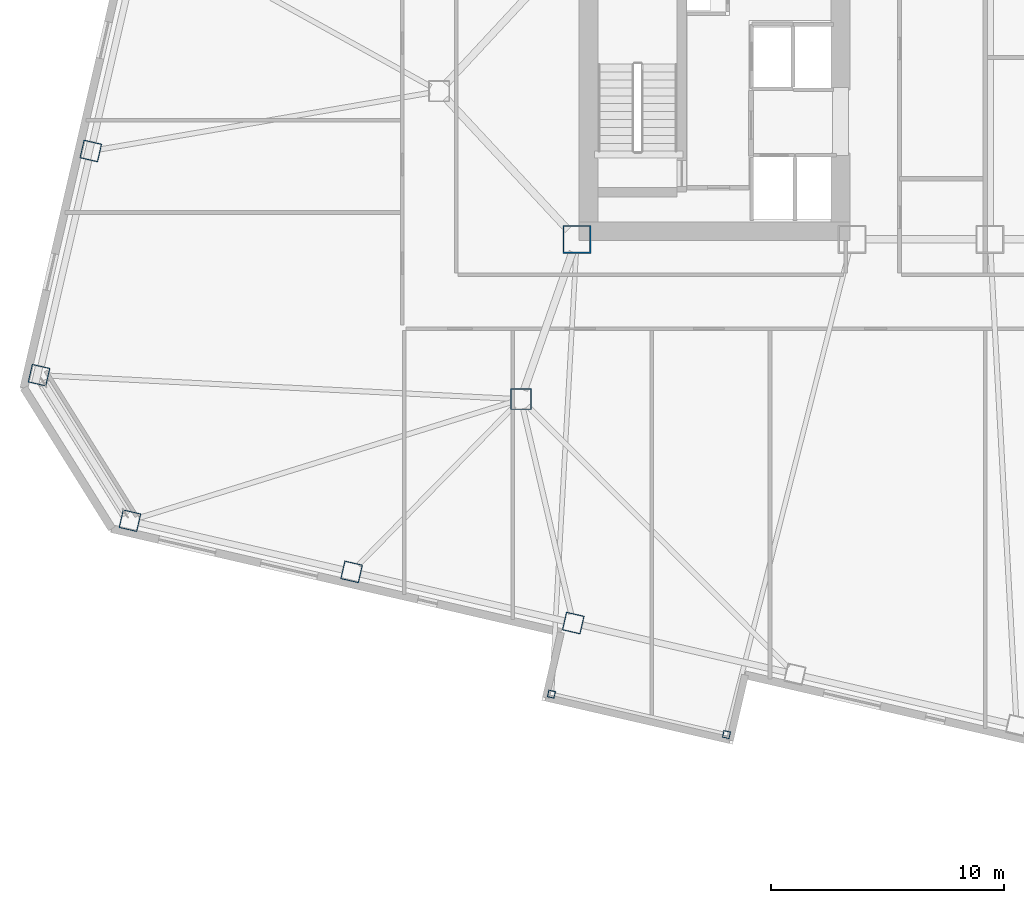
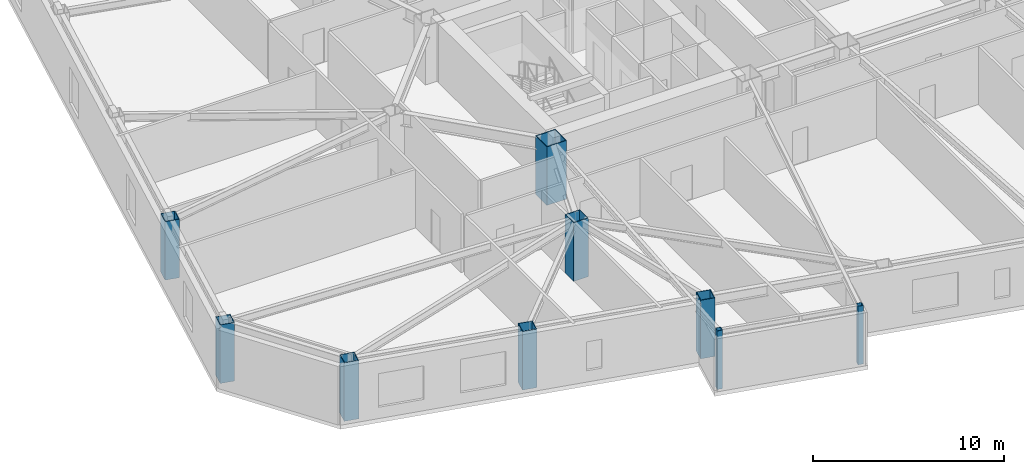
# One storey, part 1 of 18: 9 columns.
"""IFC4 building model written with IfcOpenShell, lengths in metres."""

import ifcopenshell
import ifcopenshell.guid

model = None  # the IFC model being written
_history = None  # IfcOwnerHistory: only IFC2X3 demands one
_inside = {}  # id of a spatial element -> (the spatial element, [elements in it])
_under = {}  # id of a project, library or spatial element -> (it, [spatial elements below it])
_declared = {}  # id of a project -> (the project, [libraries it declares])
_typed = {}  # id of a type object -> (the type object, [elements of that type])
_made_of = {}  # id of a material, layer set ... -> (it, [elements and type objects made of it])


def new_model(schema):
    """Start an empty IFC model of exactly this schema.

    Asked for "IFC4X3", IfcOpenShell would pick the latest addendum, in which some entities
    have other attributes; the version numbers below select the first issue.
    IFC2X3 requires an IfcOwnerHistory on every rooted entity: one is made here for all.
    """
    global model, _history
    if schema == "IFC4X3":
        model = ifcopenshell.file(schema_version=(4, 3, 0, 0))
    else:
        model = ifcopenshell.file(schema=schema)
    _inside.clear()
    _under.clear()
    _declared.clear()
    _typed.clear()
    _made_of.clear()
    _history = None
    if model.schema == "IFC2X3":
        org = make("IfcOrganization", Name="unknown")
        user = make(
            "IfcPersonAndOrganization",
            ThePerson=make("IfcPerson", FamilyName="unknown"),
            TheOrganization=org,
        )
        app = make(
            "IfcApplication",
            ApplicationDeveloper=org,
            Version="unknown",
            ApplicationFullName="unknown",
            ApplicationIdentifier="unknown",
        )
        _history = make(
            "IfcOwnerHistory",
            OwningUser=user,
            OwningApplication=app,
            ChangeAction="ADDED",
            CreationDate=0,
        )
    return model


def make(cls, **values):
    """One entity of the class cls with the attributes given. An attribute that is None is left unset."""
    return model.create_entity(
        cls, **{name: value for name, value in values.items() if value is not None}
    )


def rooted(cls, **values):
    """An entity with a GlobalId (a new one), such as an element, a storey or a relation."""
    return make(cls, GlobalId=ifcopenshell.guid.new(), OwnerHistory=_history, **values)


def si_unit(unit_type, name, prefix=None):
    """IfcSIUnit, for example si_unit("LENGTHUNIT", "METRE", prefix="MILLI")."""
    return make("IfcSIUnit", UnitType=unit_type, Prefix=prefix, Name=name)


def assignment(units):
    """IfcUnitAssignment: the units of a project."""
    return None if units is None else make("IfcUnitAssignment", Units=units)


def point(xyz):
    """IfcCartesianPoint."""
    return None if xyz is None else make("IfcCartesianPoint", Coordinates=xyz)


def direction(xyz):
    """IfcDirection."""
    return None if xyz is None else make("IfcDirection", DirectionRatios=xyz)


def frame(location, z_axis=None, x_axis=None):
    """IfcAxis2Placement3D, a coordinate frame: its origin and axes. An axis left out is left unset."""
    return make(
        "IfcAxis2Placement3D",
        Location=point(location),
        Axis=direction(z_axis),
        RefDirection=direction(x_axis),
    )


def frame_2d(location, x_axis=None):
    """IfcAxis2Placement2D, a coordinate frame in the plane: its origin and x axis."""
    return make(
        "IfcAxis2Placement2D", Location=point(location), RefDirection=direction(x_axis)
    )


def origin():
    """The frame at (0, 0, 0) with its axes left unset."""
    return frame((0.0, 0.0, 0.0))


def origin_2d():
    """The frame at (0, 0) in the plane with its x axis left unset."""
    return frame_2d((0.0, 0.0))


def place(relative_to, where):
    """IfcLocalPlacement: puts the frame where relative to a parent placement (None: the world)."""
    return make(
        "IfcLocalPlacement", PlacementRelTo=relative_to, RelativePlacement=where
    )


def context(
    kind, dimensions, precision=None, world=None, true_north=None, identifier=None
):
    """IfcGeometricRepresentationContext, for example the 3D "Model" context."""
    return make(
        "IfcGeometricRepresentationContext",
        ContextIdentifier=identifier,
        ContextType=kind,
        CoordinateSpaceDimension=dimensions,
        Precision=precision,
        WorldCoordinateSystem=world,
        TrueNorth=true_north,
    )


def subcontext(parent, identifier, kind, view, scale=None):
    """IfcGeometricRepresentationSubContext, for example "Body" below "Model"."""
    return make(
        "IfcGeometricRepresentationSubContext",
        ContextIdentifier=identifier,
        ContextType=kind,
        ParentContext=parent,
        TargetScale=scale,
        TargetView=view,
    )


def project(units=None, contexts=None):
    """IfcProject with its units and contexts."""
    return rooted(
        "IfcProject",
        Name="project",
        RepresentationContexts=contexts,
        UnitsInContext=assignment(units),
    )


def spatial(cls, under=None, at=None, **own):
    """A site, building, storey or space (cls), placed at a placement, below another one or the project."""
    s = rooted(cls, ObjectPlacement=at, **own)
    if under is not None:
        _under.setdefault(under.id(), (under, []))[1].append(s)
    return s


def profile(cls, at=None, kind="AREA", **sizes):
    """A parametric profile (cls). Its sizes go by their IFC names, for example OverallWidth=200.0."""
    return make(cls, ProfileType=kind, Position=at, **sizes)


def hollow_rectangle(**sizes):
    """IfcRectangleHollowProfileDef."""
    return profile("IfcRectangleHollowProfileDef", **sizes)


def extrude(swept, where, along, depth):
    """IfcExtrudedAreaSolid: the profile swept, set in the frame where, extruded along a direction by depth."""
    return make(
        "IfcExtrudedAreaSolid",
        SweptArea=swept,
        Position=where,
        ExtrudedDirection=direction(along),
        Depth=depth,
    )


def shape(context_of_items, identifier, shape_type, items):
    """IfcShapeRepresentation: the items that make up one representation, for example the "Body"."""
    return make(
        "IfcShapeRepresentation",
        ContextOfItems=context_of_items,
        RepresentationIdentifier=identifier,
        RepresentationType=shape_type,
        Items=items,
    )


def material(Name=None, Category=None):
    """IfcMaterial."""
    return make("IfcMaterial", Name=Name, Category=Category)


def material_profile(
    of_material, cross_section, Name=None, Category=None, Priority=None
):
    """IfcMaterialProfile: a cross section and its material."""
    return make(
        "IfcMaterialProfile",
        Name=Name,
        Material=of_material,
        Profile=cross_section,
        Priority=Priority,
        Category=Category,
    )


def profile_set(profiles, Name=None, composite=None):
    """IfcMaterialProfileSet."""
    return make(
        "IfcMaterialProfileSet",
        Name=Name,
        MaterialProfiles=profiles,
        CompositeProfile=composite,
    )


def made_of(thing, what):
    """Note that an element or type object is made of a material, layer set ...; save() writes the relation."""
    if what is not None:
        _made_of.setdefault(what.id(), (what, []))[1].append(thing)
    return thing


def type_object(cls, material=None, **own):
    """A type object (cls), such as IfcWallType, which elements share."""
    return made_of(rooted(cls, **own), material)


def element(
    cls,
    number,
    at=None,
    inside=None,
    cuts=None,
    type_object=None,
    material=None,
    context=None,
    identifier="Body",
    shape_type=None,
    held_by="IfcProductDefinitionShape",
    body=None,
    shapes=None,
    **own,
):
    """One element of the class cls, such as IfcWall. Its Tag is "e" and its number.

    at: its placement. inside: the storey or other place that contains it. cuts: it is an
    opening in that element (IfcRelVoidsElement). A single representation is given by context,
    identifier, shape_type and body (its items); several are given by shapes. held_by: the class
    of the entity that holds the representations. save() writes the other relations.
    """
    e = rooted(cls, Tag="e%d" % number, ObjectPlacement=at, **own)
    if body is not None:
        shapes = [shape(context, identifier, shape_type, body)]
    if shapes is not None:
        e.Representation = make(held_by, Representations=shapes)
    if inside is not None:
        _inside.setdefault(inside.id(), (inside, []))[1].append(e)
    if cuts is not None:
        rooted(
            "IfcRelVoidsElement", RelatingBuildingElement=cuts, RelatedOpeningElement=e
        )
    if type_object is not None:
        _typed.setdefault(type_object.id(), (type_object, []))[1].append(e)
    return made_of(e, material)


def aggregate(whole, parts):
    """IfcRelAggregates: a whole, such as a stair, and the parts it consists of."""
    return rooted("IfcRelAggregates", RelatingObject=whole, RelatedObjects=parts)


def save(model, path):
    """Write the relations noted so far, then the file.

    IfcRelAggregates (storeys below a building ...), IfcRelContainedInSpatialStructure (elements
    in a storey), IfcRelDefinesByType, IfcRelAssociatesMaterial and IfcRelDeclares: one each for
    every whole, place, type object, material and project.
    """
    for whole, parts in _under.values():
        aggregate(whole, parts)
    for where, things in _inside.values():
        rooted(
            "IfcRelContainedInSpatialStructure",
            RelatedElements=things,
            RelatingStructure=where,
        )
    for kind, things in _typed.values():
        rooted("IfcRelDefinesByType", RelatedObjects=things, RelatingType=kind)
    for what, things in _made_of.values():
        rooted("IfcRelAssociatesMaterial", RelatedObjects=things, RelatingMaterial=what)
    for by, libraries in _declared.values():
        rooted("IfcRelDeclares", RelatingContext=by, RelatedDefinitions=libraries)
    model.write(path)


model = new_model("IFC4")

# Units and contexts
model_context = context("Model", 3, precision=1e-05, world=origin(), true_north=direction((0.0, 1.0)))
body_context = subcontext(model_context, "Body", "Model", "MODEL_VIEW")
ifc_project = project(units=[si_unit("LENGTHUNIT", "METRE"), si_unit("AREAUNIT", "SQUARE_METRE"), si_unit("VOLUMEUNIT", "CUBIC_METRE"), si_unit("PLANEANGLEUNIT", "RADIAN"), si_unit("MASSUNIT", "GRAM", prefix="KILO")], contexts=[model_context])

# Site, building, storey
site_placement = place(None, origin())
site = spatial("IfcSite", under=ifc_project, at=site_placement, CompositionType="ELEMENT")
building_placement = place(site_placement, origin())
building = spatial("IfcBuilding", under=site, at=building_placement, Name="Tavrogorsk Clinical Tower", CompositionType="ELEMENT")
storey_placement = place(building_placement, frame((0.0, 0.0, 51.39990234375)))
storey = spatial("IfcBuildingStorey", under=building, at=storey_placement, Name="L10", CompositionType="ELEMENT", Elevation=51.39990234375)

# Columns
ifc_material_1 = material(Name="Structural steel S390", Category="steel")
ifc_material_profile_1 = material_profile(ifc_material_1, hollow_rectangle(XDim=0.300048828125, YDim=0.300048828125, WallThickness=0.01611328125, at=origin_2d()), Name="SHS-300x300x16")
ifc_profile_set_1 = profile_set([ifc_material_profile_1], Name="Structural steel S390")
column_type_1 = type_object("IfcColumnType", Name="DayroomCol_SHS300", PredefinedType="COLUMN", material=ifc_profile_set_1)
for number, where, z_axis, x_axis, name in (
    (1, (-23.1904296875, -25.83935546875, 0.0), (0.0, 0.0, 1.0), (0.974370064785, -0.224951054344, 0.0), "L10 Day-Room Box Column DRB-01-L"),
    (2, (-15.68798828125, -27.5712890625, 0.0), (0.0, 0.0, 1.0), (0.974370064785, -0.224951054344, 0.0), "L10 Day-Room Box Column DRB-01-R"),
):
    element("IfcColumn", number, at=place(storey_placement, frame(where, z_axis=z_axis, x_axis=x_axis)), inside=storey, type_object=column_type_1, Name=name, PredefinedType="COLUMN", context=body_context, shape_type="SweptSolid", body=[
        extrude(hollow_rectangle(XDim=0.300048828125, YDim=0.300048828125, WallThickness=0.01611328125, at=origin_2d()), origin(), (0.0, 0.0, 1.0), 3.739990234375),
    ])
ifc_material_2 = material(Name="Structural steel S440", Category="steel")
ifc_material_profile_2 = material_profile(ifc_material_2, hollow_rectangle(XDim=1.199951171875, YDim=1.199951171875, WallThickness=0.050048828125, at=origin_2d()), Name="BOX-1200x1200x50")
ifc_profile_set_2 = profile_set([ifc_material_profile_2], Name="Structural steel S440")
column_type_2 = type_object("IfcColumnType", Name="MegaCol_BOX1200", PredefinedType="COLUMN", material=ifc_profile_set_2)
column_1_placement = place(storey_placement, frame((-22.10009765625, -6.35009765625, 0.0), z_axis=(0.0, 0.0, 1.0), x_axis=(1.0, 0.0, 0.0)))
element("IfcColumn", 3, at=column_1_placement, inside=storey, type_object=column_type_2, Name="L10 Mega Column MC-W1", PredefinedType="COLUMN", context=body_context, shape_type="SweptSolid", body=[
    extrude(hollow_rectangle(XDim=1.199951171875, YDim=1.199951171875, WallThickness=0.050048828125, at=origin_2d()), origin(), (0.0, 0.0, 1.0), 3.739990234375),
])
ifc_material_3 = material(Name="Structural steel S440", Category="steel")
ifc_material_profile_3 = material_profile(ifc_material_3, hollow_rectangle(XDim=0.89990234375, YDim=0.89990234375, WallThickness=0.0400390625, at=origin_2d()), Name="BOX-900x900x40")
ifc_profile_set_3 = profile_set([ifc_material_profile_3], Name="Structural steel S440")
column_type_3 = type_object("IfcColumnType", Name="MegaCol_BOX900", PredefinedType="COLUMN", material=ifc_profile_set_3)
column_2_placement = place(storey_placement, frame((-24.5, -13.199951171875, 0.0), z_axis=(0.0, 0.0, 1.0), x_axis=(1.0, 0.0, 0.0)))
element("IfcColumn", 4, at=column_2_placement, inside=storey, type_object=column_type_3, Name="L10 Spine Pilotis Column MC-P1", PredefinedType="COLUMN", context=body_context, shape_type="SweptSolid", body=[
    extrude(hollow_rectangle(XDim=0.89990234375, YDim=0.89990234375, WallThickness=0.0400390625, at=origin_2d()), origin(), (0.0, 0.0, 1.0), 3.739990234375),
])
ifc_material_4 = material(Name="Structural steel S440", Category="steel")
ifc_material_profile_4 = material_profile(ifc_material_4, hollow_rectangle(XDim=0.800048828125, YDim=0.800048828125, WallThickness=0.035888671875, at=origin_2d()), Name="BOX-800x800x36")
ifc_profile_set_4 = profile_set([ifc_material_profile_4], Name="Structural steel S440")
column_type_4 = type_object("IfcColumnType", Name="PerimCol_B1_BOX800", PredefinedType="COLUMN", material=ifc_profile_set_4)
for number, where, z_axis, x_axis, name in (
    (5, (-41.251220703125, -18.406005859375, 0.0), (0.0, 0.0, 1.0), (0.974370064785, -0.224951054344, 0.0), "L10 Perimeter Column S1"),
    (6, (-31.75244140625, -20.598876953125, 0.0), (0.0, 0.0, 1.0), (0.974370064785, -0.224951054344, 0.0), "L10 Perimeter Column S2"),
    (7, (-22.25390625, -22.7919921875, 0.0), (0.0, 0.0, 1.0), (0.974370064785, -0.224951054344, 0.0), "L10 Perimeter Column S3"),
    (8, (-42.93017578125, -2.562255859375, 0.0), (0.0, 0.0, 1.0), (0.974370064785, -0.224951054344, 0.0), "L10 Perimeter Column W4"),
    (9, (-45.148193359375, -12.16943359375, 0.0), (0.0, 0.0, 1.0), (0.974370064785, -0.224951054344, 0.0), "L10 Perimeter Column W5"),
):
    element("IfcColumn", number, at=place(storey_placement, frame(where, z_axis=z_axis, x_axis=x_axis)), inside=storey, type_object=column_type_4, Name=name, PredefinedType="COLUMN", context=body_context, shape_type="SweptSolid", body=[
        extrude(hollow_rectangle(XDim=0.800048828125, YDim=0.800048828125, WallThickness=0.035888671875, at=origin_2d()), origin(), (0.0, 0.0, 1.0), 3.739990234375),
    ])

save(model, "model.ifc")
